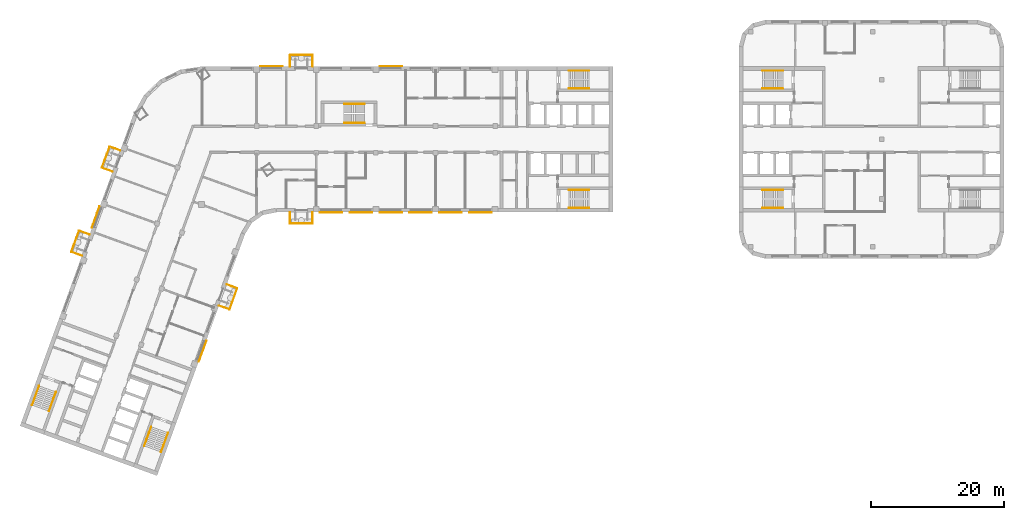
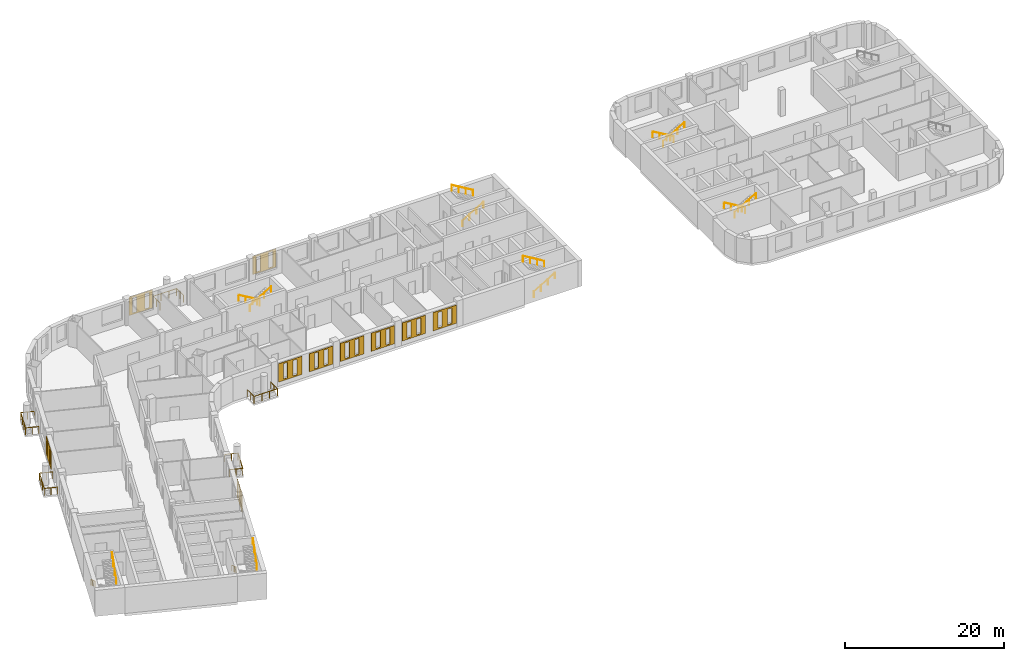
# One storey, part 13 of 16: 19 railings, 10 coverings.
"""IFC4 building model written with IfcOpenShell, lengths in metres."""

from ifc_helpers import new_model, si_unit, direction, frame, origin, origin_2d, place, context, subcontext, project, spatial, polyline, circle, outline, extrude, material, material_profile, profile_set, type_object, element, save


model = new_model("IFC4")

# Units and contexts
model_context = context("Model", 3, precision=1e-05, world=origin(), true_north=direction((0.0, 1.0)))
body_context = subcontext(model_context, "Body", "Model", "MODEL_VIEW")
ifc_project = project(units=[si_unit("LENGTHUNIT", "METRE"), si_unit("AREAUNIT", "SQUARE_METRE"), si_unit("VOLUMEUNIT", "CUBIC_METRE"), si_unit("PLANEANGLEUNIT", "RADIAN"), si_unit("MASSUNIT", "GRAM", prefix="KILO")], contexts=[model_context])

# Site, building, storey
site_placement = place(None, origin())
site = spatial("IfcSite", under=ifc_project, at=site_placement, CompositionType="ELEMENT")
building_placement = place(site_placement, origin())
building = spatial("IfcBuilding", under=site, at=building_placement, Name="Skarvind Civic Tower", CompositionType="ELEMENT")
storey_placement = place(building_placement, frame((0.0, 0.0, 67.5)))
storey = spatial("IfcBuildingStorey", under=building, at=storey_placement, Name="L15", CompositionType="ELEMENT", Elevation=67.5)

# Railings
ifc_material_1 = material(Name="Stainless steel balustrade", Category="steel")
railing_type_1 = type_object("IfcRailingType", Name="GR1 GUARD 1100", PredefinedType="GUARDRAIL", material=ifc_material_1)
railing_1_placement = place(storey_placement, frame((49.735595703125, 106.101806640625, 0.0)))
element("IfcRailing", 1, at=railing_1_placement, inside=storey, type_object=railing_type_1, Name="TREE BALCONY GUARD", PredefinedType="GUARDRAIL", context=body_context, shape_type="SweptSolid", body=[
    extrude(circle(Radius=0.02392578125, at=origin_2d()), frame((0.0, 0.0, 1.076171875), z_axis=(0.93966756638, -0.342088971896, 0.0), x_axis=(0.342088971896, 0.93966756638, 0.0)), (0.0, 0.0, 1.0), 1.699951171875),
    extrude(circle(Radius=0.02392578125, at=origin_2d()), frame((1.597412109375, -0.58154296875, 1.076171875), z_axis=(-0.342002487902, -0.939699046647, 0.0), x_axis=(0.939699046647, -0.342002487902, 0.0)), (0.0, 0.0, 1.0), 3.400146484375),
    extrude(circle(Radius=0.02392578125, at=origin_2d()), frame((0.4345703125, -3.776611328125, 1.076171875), z_axis=(-0.93966756638, 0.342088971896, 0.0), x_axis=(-0.342088971896, -0.93966756638, 0.0)), (0.0, 0.0, 1.0), 1.699951171875),
    extrude(circle(Radius=0.02099609375, at=origin_2d()), origin(), (0.0, 0.0, 1.0), 1.052001953125),
    extrude(circle(Radius=0.02099609375, at=origin_2d()), frame((0.798828125, -0.290771484375, 0.0)), (0.0, 0.0, 1.0), 1.052001953125),
    extrude(circle(Radius=0.02099609375, at=origin_2d()), frame((1.597412109375, -0.58154296875, 0.0)), (0.0, 0.0, 1.0), 1.052001953125),
    extrude(circle(Radius=0.02099609375, at=origin_2d()), frame((1.209716796875, -1.646484375, 0.0)), (0.0, 0.0, 1.0), 1.052001953125),
    extrude(circle(Radius=0.02099609375, at=origin_2d()), frame((0.822265625, -2.711669921875, 0.0)), (0.0, 0.0, 1.0), 1.052001953125),
    extrude(circle(Radius=0.02099609375, at=origin_2d()), frame((0.4345703125, -3.776611328125, 0.0)), (0.0, 0.0, 1.0), 1.052001953125),
    extrude(circle(Radius=0.02099609375, at=origin_2d()), frame((-0.3642578125, -3.48583984375, 0.0)), (0.0, 0.0, 1.0), 1.052001953125),
    extrude(circle(Radius=0.02099609375, at=origin_2d()), frame((-1.162841796875, -3.195068359375, 0.0)), (0.0, 0.0, 1.0), 1.052001953125),
])
railing_2_placement = place(storey_placement, frame((62.699951171875, 117.0, 0.0)))
element("IfcRailing", 2, at=railing_2_placement, inside=storey, type_object=railing_type_1, Name="TREE BALCONY GUARD", PredefinedType="GUARDRAIL", context=body_context, shape_type="SweptSolid", body=[
    extrude(circle(Radius=0.02392578125, at=origin_2d()), frame((0.0, 0.0, 1.076171875), z_axis=(0.0, -1.0, 0.0), x_axis=(1.0, 0.0, 0.0)), (0.0, 0.0, 1.0), 1.699951171875),
    extrude(circle(Radius=0.02392578125, at=origin_2d()), frame((0.0, -1.699951171875, 1.076171875), z_axis=(-1.0, 0.0, 0.0), x_axis=(0.0, -1.0, 0.0)), (0.0, 0.0, 1.0), 3.39990234375),
    extrude(circle(Radius=0.02392578125, at=origin_2d()), frame((-3.39990234375, -1.699951171875, 1.076171875), z_axis=(0.0, 1.0, 0.0), x_axis=(-1.0, 0.0, 0.0)), (0.0, 0.0, 1.0), 1.699951171875),
    extrude(circle(Radius=0.02099609375, at=origin_2d()), origin(), (0.0, 0.0, 1.0), 1.052001953125),
    extrude(circle(Radius=0.02099609375, at=origin_2d()), frame((0.0, -0.85009765625, 0.0)), (0.0, 0.0, 1.0), 1.052001953125),
    extrude(circle(Radius=0.02099609375, at=origin_2d()), frame((0.0, -1.699951171875, 0.0)), (0.0, 0.0, 1.0), 1.052001953125),
    extrude(circle(Radius=0.02099609375, at=origin_2d()), frame((-1.13330078125, -1.699951171875, 0.0)), (0.0, 0.0, 1.0), 1.052001953125),
    extrude(circle(Radius=0.02099609375, at=origin_2d()), frame((-2.2666015625, -1.699951171875, 0.0)), (0.0, 0.0, 1.0), 1.052001953125),
    extrude(circle(Radius=0.02099609375, at=origin_2d()), frame((-3.39990234375, -1.699951171875, 0.0)), (0.0, 0.0, 1.0), 1.052001953125),
    extrude(circle(Radius=0.02099609375, at=origin_2d()), frame((-3.39990234375, -0.85009765625, 0.0)), (0.0, 0.0, 1.0), 1.052001953125),
    extrude(circle(Radius=0.02099609375, at=origin_2d()), frame((-3.39990234375, 0.0, 0.0)), (0.0, 0.0, 1.0), 1.052001953125),
])
railing_3_placement = place(storey_placement, frame((59.300048828125, 139.0, 0.0)))
element("IfcRailing", 3, at=railing_3_placement, inside=storey, type_object=railing_type_1, Name="TREE BALCONY GUARD", PredefinedType="GUARDRAIL", context=body_context, shape_type="SweptSolid", body=[
    extrude(circle(Radius=0.02392578125, at=origin_2d()), frame((0.0, 0.0, 1.076171875), z_axis=(0.0, 1.0, 0.0), x_axis=(-1.0, 0.0, 0.0)), (0.0, 0.0, 1.0), 1.699951171875),
    extrude(circle(Radius=0.02392578125, at=origin_2d()), frame((0.0, 1.699951171875, 1.076171875), z_axis=(1.0, 0.0, 0.0), x_axis=(0.0, 1.0, 0.0)), (0.0, 0.0, 1.0), 3.39990234375),
    extrude(circle(Radius=0.02392578125, at=origin_2d()), frame((3.39990234375, 1.699951171875, 1.076171875), z_axis=(0.0, -1.0, 0.0), x_axis=(1.0, 0.0, 0.0)), (0.0, 0.0, 1.0), 1.699951171875),
    extrude(circle(Radius=0.02099609375, at=origin_2d()), origin(), (0.0, 0.0, 1.0), 1.052001953125),
    extrude(circle(Radius=0.02099609375, at=origin_2d()), frame((0.0, 0.85009765625, 0.0)), (0.0, 0.0, 1.0), 1.052001953125),
    extrude(circle(Radius=0.02099609375, at=origin_2d()), frame((0.0, 1.699951171875, 0.0)), (0.0, 0.0, 1.0), 1.052001953125),
    extrude(circle(Radius=0.02099609375, at=origin_2d()), frame((1.13330078125, 1.699951171875, 0.0)), (0.0, 0.0, 1.0), 1.052001953125),
    extrude(circle(Radius=0.02099609375, at=origin_2d()), frame((2.2666015625, 1.699951171875, 0.0)), (0.0, 0.0, 1.0), 1.052001953125),
    extrude(circle(Radius=0.02099609375, at=origin_2d()), frame((3.39990234375, 1.699951171875, 0.0)), (0.0, 0.0, 1.0), 1.052001953125),
    extrude(circle(Radius=0.02099609375, at=origin_2d()), frame((3.39990234375, 0.85009765625, 0.0)), (0.0, 0.0, 1.0), 1.052001953125),
    extrude(circle(Radius=0.02099609375, at=origin_2d()), frame((3.39990234375, 0.0, 0.0)), (0.0, 0.0, 1.0), 1.052001953125),
])
railing_4_placement = place(storey_placement, frame((27.8994140625, 110.43115234375, 0.0)))
element("IfcRailing", 4, at=railing_4_placement, inside=storey, type_object=railing_type_1, Name="TREE BALCONY GUARD", PredefinedType="GUARDRAIL", context=body_context, shape_type="SweptSolid", body=[
    extrude(circle(Radius=0.02392578125, at=origin_2d()), frame((0.0, 0.0, 1.076171875), z_axis=(-0.93966756638, 0.342088971896, 0.0), x_axis=(-0.342088971896, -0.93966756638, 0.0)), (0.0, 0.0, 1.0), 1.699951171875),
    extrude(circle(Radius=0.02392578125, at=origin_2d()), frame((-1.597412109375, 0.58154296875, 1.076171875), z_axis=(0.342025565686, 0.93969064719, 0.0), x_axis=(-0.93969064719, 0.342025565686, 0.0)), (0.0, 0.0, 1.0), 3.39990234375),
    extrude(circle(Radius=0.02392578125, at=origin_2d()), frame((-0.4345703125, 3.7763671875, 1.076171875), z_axis=(0.939730516252, -0.341916008435, 0.0), x_axis=(0.341916008435, 0.939730516252, 0.0)), (0.0, 0.0, 1.0), 1.7001953125),
    extrude(circle(Radius=0.02099609375, at=origin_2d()), origin(), (0.0, 0.0, 1.0), 1.052001953125),
    extrude(circle(Radius=0.02099609375, at=origin_2d()), frame((-0.798828125, 0.290771484375, 0.0)), (0.0, 0.0, 1.0), 1.052001953125),
    extrude(circle(Radius=0.02099609375, at=origin_2d()), frame((-1.597412109375, 0.58154296875, 0.0)), (0.0, 0.0, 1.0), 1.052001953125),
    extrude(circle(Radius=0.02099609375, at=origin_2d()), frame((-1.209716796875, 1.646484375, 0.0)), (0.0, 0.0, 1.0), 1.052001953125),
    extrude(circle(Radius=0.02099609375, at=origin_2d()), frame((-0.822265625, 2.71142578125, 0.0)), (0.0, 0.0, 1.0), 1.052001953125),
    extrude(circle(Radius=0.02099609375, at=origin_2d()), frame((-0.4345703125, 3.7763671875, 0.0)), (0.0, 0.0, 1.0), 1.052001953125),
    extrude(circle(Radius=0.02099609375, at=origin_2d()), frame((0.3642578125, 3.48583984375, 0.0)), (0.0, 0.0, 1.0), 1.052001953125),
    extrude(circle(Radius=0.02099609375, at=origin_2d()), frame((1.1630859375, 3.195068359375, 0.0)), (0.0, 0.0, 1.0), 1.052001953125),
])
railing_5_placement = place(storey_placement, frame((32.516845703125, 123.1171875, 0.0)))
element("IfcRailing", 5, at=railing_5_placement, inside=storey, type_object=railing_type_1, Name="TREE BALCONY GUARD", PredefinedType="GUARDRAIL", context=body_context, shape_type="SweptSolid", body=[
    extrude(circle(Radius=0.02392578125, at=origin_2d()), frame((0.0, 0.0, 1.076171875), z_axis=(-0.939730516252, 0.341916008435, 0.0), x_axis=(-0.341916008435, -0.939730516252, 0.0)), (0.0, 0.0, 1.0), 1.7001953125),
    extrude(circle(Radius=0.02392578125, at=origin_2d()), frame((-1.59765625, 0.581298828125, 1.076171875), z_axis=(0.342065890968, 0.939675968745, 0.0), x_axis=(-0.939675968745, 0.342065890968, 0.0)), (0.0, 0.0, 1.0), 3.400146484375),
    extrude(circle(Radius=0.02392578125, at=origin_2d()), frame((-0.4345703125, 3.7763671875, 1.076171875), z_axis=(0.93966756638, -0.342088971896, 0.0), x_axis=(0.342088971896, 0.93966756638, 0.0)), (0.0, 0.0, 1.0), 1.699951171875),
    extrude(circle(Radius=0.02099609375, at=origin_2d()), origin(), (0.0, 0.0, 1.0), 1.052001953125),
    extrude(circle(Radius=0.02099609375, at=origin_2d()), frame((-0.798828125, 0.29052734375, 0.0)), (0.0, 0.0, 1.0), 1.052001953125),
    extrude(circle(Radius=0.02099609375, at=origin_2d()), frame((-1.59765625, 0.581298828125, 0.0)), (0.0, 0.0, 1.0), 1.052001953125),
    extrude(circle(Radius=0.02099609375, at=origin_2d()), frame((-1.2099609375, 1.646240234375, 0.0)), (0.0, 0.0, 1.0), 1.052001953125),
    extrude(circle(Radius=0.02099609375, at=origin_2d()), frame((-0.822265625, 2.71142578125, 0.0)), (0.0, 0.0, 1.0), 1.052001953125),
    extrude(circle(Radius=0.02099609375, at=origin_2d()), frame((-0.4345703125, 3.7763671875, 0.0)), (0.0, 0.0, 1.0), 1.052001953125),
    extrude(circle(Radius=0.02099609375, at=origin_2d()), frame((0.3642578125, 3.485595703125, 0.0)), (0.0, 0.0, 1.0), 1.052001953125),
    extrude(circle(Radius=0.02099609375, at=origin_2d()), frame((1.162841796875, 3.19482421875, 0.0)), (0.0, 0.0, 1.0), 1.052001953125),
])
ifc_material_2 = material(Name="Painted steel handrail", Category="steel")
railing_type_2 = type_object("IfcRailingType", Name="Stair handrail 900", PredefinedType="HANDRAIL", material=ifc_material_2)
railing_6_placement = place(storey_placement, frame((101.35009765625, 135.64990234375, 0.166748046875)))
element("IfcRailing", 6, at=railing_6_placement, inside=storey, type_object=railing_type_2, Name="Stair handrail", PredefinedType="HANDRAIL", context=body_context, shape_type="SweptSolid", body=[
    extrude(circle(Radius=0.02392578125, at=origin_2d()), frame((0.0, 0.0, 0.8759765625), z_axis=(0.859290745958, 0.0, 0.51148745235), x_axis=(0.0, 1.0, 0.0)), (0.0, 0.0, 1.0), 3.584228515625),
    extrude(circle(Radius=0.02099609375, at=origin_2d()), origin(), (0.0, 0.0, 1.0), 0.851806640625),
    extrude(circle(Radius=0.02099609375, at=origin_2d()), frame((1.026611328125, 0.0, 0.611083984375)), (0.0, 0.0, 1.0), 0.851806640625),
    extrude(circle(Radius=0.02099609375, at=origin_2d()), frame((2.05322265625, 0.0, 1.22216796875)), (0.0, 0.0, 1.0), 0.851806640625),
    extrude(circle(Radius=0.02099609375, at=origin_2d()), frame((3.079833984375, 0.0, 1.833251953125)), (0.0, 0.0, 1.0), 0.851806640625),
])
railing_7_placement = place(storey_placement, frame((104.429931640625, 138.35009765625, 2.166748046875)))
element("IfcRailing", 7, at=railing_7_placement, inside=storey, type_object=railing_type_2, Name="Stair handrail", PredefinedType="HANDRAIL", context=body_context, shape_type="SweptSolid", body=[
    extrude(circle(Radius=0.02392578125, at=origin_2d()), frame((0.0, 0.0, 0.8759765625), z_axis=(-0.859290745958, 0.0, 0.51148745235), x_axis=(0.0, -1.0, 0.0)), (0.0, 0.0, 1.0), 3.584228515625),
    extrude(circle(Radius=0.02099609375, at=origin_2d()), origin(), (0.0, 0.0, 1.0), 0.851806640625),
    extrude(circle(Radius=0.02099609375, at=origin_2d()), frame((-1.026611328125, 0.0, 0.611083984375)), (0.0, 0.0, 1.0), 0.851806640625),
    extrude(circle(Radius=0.02099609375, at=origin_2d()), frame((-2.05322265625, 0.0, 1.22216796875)), (0.0, 0.0, 1.0), 0.851806640625),
    extrude(circle(Radius=0.02099609375, at=origin_2d()), frame((-3.079833984375, 0.0, 1.833251953125)), (0.0, 0.0, 1.0), 0.851806640625),
])
railing_8_placement = place(storey_placement, frame((101.35009765625, 117.64990234375, 0.166748046875)))
element("IfcRailing", 8, at=railing_8_placement, inside=storey, type_object=railing_type_2, Name="Stair handrail", PredefinedType="HANDRAIL", context=body_context, shape_type="SweptSolid", body=[
    extrude(circle(Radius=0.02392578125, at=origin_2d()), frame((0.0, 0.0, 0.8759765625), z_axis=(0.859290745958, 0.0, 0.51148745235), x_axis=(0.0, 1.0, 0.0)), (0.0, 0.0, 1.0), 3.584228515625),
    extrude(circle(Radius=0.02099609375, at=origin_2d()), origin(), (0.0, 0.0, 1.0), 0.851806640625),
    extrude(circle(Radius=0.02099609375, at=origin_2d()), frame((1.026611328125, 0.0, 0.611083984375)), (0.0, 0.0, 1.0), 0.851806640625),
    extrude(circle(Radius=0.02099609375, at=origin_2d()), frame((2.05322265625, 0.0, 1.22216796875)), (0.0, 0.0, 1.0), 0.851806640625),
    extrude(circle(Radius=0.02099609375, at=origin_2d()), frame((3.079833984375, 0.0, 1.833251953125)), (0.0, 0.0, 1.0), 0.851806640625),
])
railing_9_placement = place(storey_placement, frame((104.429931640625, 120.35009765625, 2.166748046875)))
element("IfcRailing", 9, at=railing_9_placement, inside=storey, type_object=railing_type_2, Name="Stair handrail", PredefinedType="HANDRAIL", context=body_context, shape_type="SweptSolid", body=[
    extrude(circle(Radius=0.02392578125, at=origin_2d()), frame((0.0, 0.0, 0.8759765625), z_axis=(-0.859290745958, 0.0, 0.51148745235), x_axis=(0.0, -1.0, 0.0)), (0.0, 0.0, 1.0), 3.584228515625),
    extrude(circle(Radius=0.02099609375, at=origin_2d()), origin(), (0.0, 0.0, 1.0), 0.851806640625),
    extrude(circle(Radius=0.02099609375, at=origin_2d()), frame((-1.026611328125, 0.0, 0.611083984375)), (0.0, 0.0, 1.0), 0.851806640625),
    extrude(circle(Radius=0.02099609375, at=origin_2d()), frame((-2.05322265625, 0.0, 1.22216796875)), (0.0, 0.0, 1.0), 0.851806640625),
    extrude(circle(Radius=0.02099609375, at=origin_2d()), frame((-3.079833984375, 0.0, 1.833251953125)), (0.0, 0.0, 1.0), 0.851806640625),
])
railing_10_placement = place(storey_placement, frame((38.362060546875, 84.64794921875, 0.166748046875)))
element("IfcRailing", 10, at=railing_10_placement, inside=storey, type_object=railing_type_2, Name="Stair handrail", PredefinedType="HANDRAIL", context=body_context, shape_type="SweptSolid", body=[
    extrude(circle(Radius=0.02392578125, at=origin_2d()), frame((0.0, 0.0, 0.8759765625), z_axis=(-0.293908055923, -0.807480881337, 0.511461319103), x_axis=(0.939689235759, -0.342029443467, 0.0)), (0.0, 0.0, 1.0), 3.584228515625),
    extrude(circle(Radius=0.02099609375, at=origin_2d()), origin(), (0.0, 0.0, 1.0), 0.851806640625),
    extrude(circle(Radius=0.02099609375, at=origin_2d()), frame((-0.35107421875, -0.96484375, 0.611083984375)), (0.0, 0.0, 1.0), 0.851806640625),
    extrude(circle(Radius=0.02099609375, at=origin_2d()), frame((-0.702392578125, -1.929443359375, 1.22216796875)), (0.0, 0.0, 1.0), 0.851806640625),
    extrude(circle(Radius=0.02099609375, at=origin_2d()), frame((-1.053466796875, -2.894287109375, 1.833251953125)), (0.0, 0.0, 1.0), 0.851806640625),
])
railing_11_placement = place(storey_placement, frame((39.845703125, 80.830078125, 2.166748046875)))
element("IfcRailing", 11, at=railing_11_placement, inside=storey, type_object=railing_type_2, Name="Stair handrail", PredefinedType="HANDRAIL", context=body_context, shape_type="SweptSolid", body=[
    extrude(circle(Radius=0.02392578125, at=origin_2d()), frame((0.0, 0.0, 0.8759765625), z_axis=(0.293908055923, 0.807480881337, 0.511461319103), x_axis=(-0.939689235759, 0.342029443467, 0.0)), (0.0, 0.0, 1.0), 3.584228515625),
    extrude(circle(Radius=0.02099609375, at=origin_2d()), origin(), (0.0, 0.0, 1.0), 0.851806640625),
    extrude(circle(Radius=0.02099609375, at=origin_2d()), frame((0.35107421875, 0.96484375, 0.611083984375)), (0.0, 0.0, 1.0), 0.851806640625),
    extrude(circle(Radius=0.02099609375, at=origin_2d()), frame((0.702392578125, 1.929443359375, 1.22216796875)), (0.0, 0.0, 1.0), 0.851806640625),
    extrude(circle(Radius=0.02099609375, at=origin_2d()), frame((1.053466796875, 2.894287109375, 1.833251953125)), (0.0, 0.0, 1.0), 0.851806640625),
])
railing_12_placement = place(storey_placement, frame((21.447509765625, 90.80419921875, 0.166748046875)))
element("IfcRailing", 12, at=railing_12_placement, inside=storey, type_object=railing_type_2, Name="Stair handrail", PredefinedType="HANDRAIL", context=body_context, shape_type="SweptSolid", body=[
    extrude(circle(Radius=0.02392578125, at=origin_2d()), frame((0.0, 0.0, 0.8759765625), z_axis=(-0.293845824691, -0.807497044902, 0.511471557163), x_axis=(0.939714709796, -0.34195944817, 0.0)), (0.0, 0.0, 1.0), 3.584228515625),
    extrude(circle(Radius=0.02099609375, at=origin_2d()), origin(), (0.0, 0.0, 1.0), 0.851806640625),
    extrude(circle(Radius=0.02099609375, at=origin_2d()), frame((-0.35107421875, -0.96484375, 0.611083984375)), (0.0, 0.0, 1.0), 0.851806640625),
    extrude(circle(Radius=0.02099609375, at=origin_2d()), frame((-0.7021484375, -1.929443359375, 1.22216796875)), (0.0, 0.0, 1.0), 0.851806640625),
    extrude(circle(Radius=0.02099609375, at=origin_2d()), frame((-1.05322265625, -2.894287109375, 1.833251953125)), (0.0, 0.0, 1.0), 0.851806640625),
])
railing_13_placement = place(storey_placement, frame((22.931396484375, 86.986572265625, 2.166748046875)))
element("IfcRailing", 13, at=railing_13_placement, inside=storey, type_object=railing_type_2, Name="Stair handrail", PredefinedType="HANDRAIL", context=body_context, shape_type="SweptSolid", body=[
    extrude(circle(Radius=0.02392578125, at=origin_2d()), frame((0.0, 0.0, 0.8759765625), z_axis=(0.293908055923, 0.807480881337, 0.511461319103), x_axis=(-0.939689235759, 0.342029443467, 0.0)), (0.0, 0.0, 1.0), 3.584228515625),
    extrude(circle(Radius=0.02099609375, at=origin_2d()), origin(), (0.0, 0.0, 1.0), 0.851806640625),
    extrude(circle(Radius=0.02099609375, at=origin_2d()), frame((0.35107421875, 0.96484375, 0.611083984375)), (0.0, 0.0, 1.0), 0.851806640625),
    extrude(circle(Radius=0.02099609375, at=origin_2d()), frame((0.702392578125, 1.929443359375, 1.22216796875)), (0.0, 0.0, 1.0), 0.851806640625),
    extrude(circle(Radius=0.02099609375, at=origin_2d()), frame((1.053466796875, 2.894287109375, 1.833251953125)), (0.0, 0.0, 1.0), 0.851806640625),
])
railing_14_placement = place(storey_placement, frame((133.64990234375, 120.35009765625, 0.166748046875)))
element("IfcRailing", 14, at=railing_14_placement, inside=storey, type_object=railing_type_2, Name="Stair handrail", PredefinedType="HANDRAIL", context=body_context, shape_type="SweptSolid", body=[
    extrude(circle(Radius=0.02392578125, at=origin_2d()), frame((0.0, 0.0, 0.8759765625), z_axis=(-0.859290745958, 0.0, 0.51148745235), x_axis=(0.0, -1.0, 0.0)), (0.0, 0.0, 1.0), 3.584228515625),
    extrude(circle(Radius=0.02099609375, at=origin_2d()), origin(), (0.0, 0.0, 1.0), 0.851806640625),
    extrude(circle(Radius=0.02099609375, at=origin_2d()), frame((-1.026611328125, 0.0, 0.611083984375)), (0.0, 0.0, 1.0), 0.851806640625),
    extrude(circle(Radius=0.02099609375, at=origin_2d()), frame((-2.05322265625, 0.0, 1.22216796875)), (0.0, 0.0, 1.0), 0.851806640625),
    extrude(circle(Radius=0.02099609375, at=origin_2d()), frame((-3.079833984375, 0.0, 1.833251953125)), (0.0, 0.0, 1.0), 0.851806640625),
])
railing_15_placement = place(storey_placement, frame((130.570068359375, 117.64990234375, 2.166748046875)))
element("IfcRailing", 15, at=railing_15_placement, inside=storey, type_object=railing_type_2, Name="Stair handrail", PredefinedType="HANDRAIL", context=body_context, shape_type="SweptSolid", body=[
    extrude(circle(Radius=0.02392578125, at=origin_2d()), frame((0.0, 0.0, 0.8759765625), z_axis=(0.859290745958, 0.0, 0.51148745235), x_axis=(0.0, 1.0, 0.0)), (0.0, 0.0, 1.0), 3.584228515625),
    extrude(circle(Radius=0.02099609375, at=origin_2d()), origin(), (0.0, 0.0, 1.0), 0.851806640625),
    extrude(circle(Radius=0.02099609375, at=origin_2d()), frame((1.026611328125, 0.0, 0.611083984375)), (0.0, 0.0, 1.0), 0.851806640625),
    extrude(circle(Radius=0.02099609375, at=origin_2d()), frame((2.05322265625, 0.0, 1.22216796875)), (0.0, 0.0, 1.0), 0.851806640625),
    extrude(circle(Radius=0.02099609375, at=origin_2d()), frame((3.079833984375, 0.0, 1.833251953125)), (0.0, 0.0, 1.0), 0.851806640625),
])
railing_16_placement = place(storey_placement, frame((133.64990234375, 138.35009765625, 0.166748046875)))
element("IfcRailing", 16, at=railing_16_placement, inside=storey, type_object=railing_type_2, Name="Stair handrail", PredefinedType="HANDRAIL", context=body_context, shape_type="SweptSolid", body=[
    extrude(circle(Radius=0.02392578125, at=origin_2d()), frame((0.0, 0.0, 0.8759765625), z_axis=(-0.859290745958, 0.0, 0.51148745235), x_axis=(0.0, -1.0, 0.0)), (0.0, 0.0, 1.0), 3.584228515625),
    extrude(circle(Radius=0.02099609375, at=origin_2d()), origin(), (0.0, 0.0, 1.0), 0.851806640625),
    extrude(circle(Radius=0.02099609375, at=origin_2d()), frame((-1.026611328125, 0.0, 0.611083984375)), (0.0, 0.0, 1.0), 0.851806640625),
    extrude(circle(Radius=0.02099609375, at=origin_2d()), frame((-2.05322265625, 0.0, 1.22216796875)), (0.0, 0.0, 1.0), 0.851806640625),
    extrude(circle(Radius=0.02099609375, at=origin_2d()), frame((-3.079833984375, 0.0, 1.833251953125)), (0.0, 0.0, 1.0), 0.851806640625),
])
railing_17_placement = place(storey_placement, frame((130.570068359375, 135.64990234375, 2.166748046875)))
element("IfcRailing", 17, at=railing_17_placement, inside=storey, type_object=railing_type_2, Name="Stair handrail", PredefinedType="HANDRAIL", context=body_context, shape_type="SweptSolid", body=[
    extrude(circle(Radius=0.02392578125, at=origin_2d()), frame((0.0, 0.0, 0.8759765625), z_axis=(0.859290745958, 0.0, 0.51148745235), x_axis=(0.0, 1.0, 0.0)), (0.0, 0.0, 1.0), 3.584228515625),
    extrude(circle(Radius=0.02099609375, at=origin_2d()), origin(), (0.0, 0.0, 1.0), 0.851806640625),
    extrude(circle(Radius=0.02099609375, at=origin_2d()), frame((1.026611328125, 0.0, 0.611083984375)), (0.0, 0.0, 1.0), 0.851806640625),
    extrude(circle(Radius=0.02099609375, at=origin_2d()), frame((2.05322265625, 0.0, 1.22216796875)), (0.0, 0.0, 1.0), 0.851806640625),
    extrude(circle(Radius=0.02099609375, at=origin_2d()), frame((3.079833984375, 0.0, 1.833251953125)), (0.0, 0.0, 1.0), 0.851806640625),
])
railing_18_placement = place(storey_placement, frame((70.550048828125, 133.35009765625, 0.166748046875)))
element("IfcRailing", 18, at=railing_18_placement, inside=storey, type_object=railing_type_2, Name="Stair handrail", PredefinedType="HANDRAIL", context=body_context, shape_type="SweptSolid", body=[
    extrude(circle(Radius=0.02392578125, at=origin_2d()), frame((0.0, 0.0, 0.8759765625), z_axis=(-0.859308565015, 0.0, 0.511457515432), x_axis=(0.0, -1.0, 0.0)), (0.0, 0.0, 1.0), 3.58447265625),
    extrude(circle(Radius=0.02099609375, at=origin_2d()), origin(), (0.0, 0.0, 1.0), 0.851806640625),
    extrude(circle(Radius=0.02099609375, at=origin_2d()), frame((-1.026611328125, 0.0, 0.611083984375)), (0.0, 0.0, 1.0), 0.851806640625),
    extrude(circle(Radius=0.02099609375, at=origin_2d()), frame((-2.053466796875, 0.0, 1.22216796875)), (0.0, 0.0, 1.0), 0.851806640625),
    extrude(circle(Radius=0.02099609375, at=origin_2d()), frame((-3.080078125, 0.0, 1.833251953125)), (0.0, 0.0, 1.0), 0.851806640625),
])
railing_19_placement = place(storey_placement, frame((67.469970703125, 130.449951171875, 2.166748046875)))
element("IfcRailing", 19, at=railing_19_placement, inside=storey, type_object=railing_type_2, Name="Stair handrail", PredefinedType="HANDRAIL", context=body_context, shape_type="SweptSolid", body=[
    extrude(circle(Radius=0.02392578125, at=origin_2d()), frame((0.0, 0.0, 0.8759765625), z_axis=(0.859308565015, 0.0, 0.511457515432), x_axis=(0.0, 1.0, 0.0)), (0.0, 0.0, 1.0), 3.58447265625),
    extrude(circle(Radius=0.02099609375, at=origin_2d()), origin(), (0.0, 0.0, 1.0), 0.851806640625),
    extrude(circle(Radius=0.02099609375, at=origin_2d()), frame((1.026611328125, 0.0, 0.611083984375)), (0.0, 0.0, 1.0), 0.851806640625),
    extrude(circle(Radius=0.02099609375, at=origin_2d()), frame((2.053466796875, 0.0, 1.22216796875)), (0.0, 0.0, 1.0), 0.851806640625),
    extrude(circle(Radius=0.02099609375, at=origin_2d()), frame((3.080078125, 0.0, 1.833251953125)), (0.0, 0.0, 1.0), 0.851806640625),
])

# Coverings
ifc_material_3 = material(Name="Terracotta", Category="masonry")
ifc_material_profile_1 = material_profile(ifc_material_3, outline(polyline([(-1.699951171875, -1.39990234375), (1.699951171875, -1.39990234375), (1.699951171875, 1.39990234375), (-1.699951171875, 1.39990234375), (-1.699951171875, -1.39990234375)]), holes=[polyline([(-1.0, -1.18994140625), (-0.39990234375, -1.18994140625), (-0.39990234375, 1.18994140625), (-1.0, 1.18994140625), (-1.0, -1.18994140625)]), polyline([(0.39990234375, -1.18994140625), (1.0, -1.18994140625), (1.0, 1.18994140625), (0.39990234375, 1.18994140625), (0.39990234375, -1.18994140625)])]), Name="TERRACOTTA SCREEN 3400 x 2800, SLIT PITCH 1400")
ifc_profile_set_1 = profile_set([ifc_material_profile_1], Name="Terracotta")
covering_type_1 = type_object("IfcCoveringType", Name="TERRACOTTA SCREEN 3400 x 2800, SLIT PITCH 1400", PredefinedType="CLADDING", material=ifc_profile_set_1)
for number, where, z_axis, x_axis, name in (
    (20, (88.0, 117.0, 2.10009765625), (0.0, -1.0, 0.0), (1.0, 0.0, 0.0), "TERRACOTTA SCREEN"),
    (21, (83.5, 117.0, 2.10009765625), (0.0, -1.0, 0.0), (1.0, 0.0, 0.0), "TERRACOTTA SCREEN"),
    (22, (79.0, 117.0, 2.10009765625), (0.0, -1.0, 0.0), (1.0, 0.0, 0.0), "TERRACOTTA SCREEN"),
    (23, (74.5, 117.0, 2.10009765625), (0.0, -1.0, 0.0), (1.0, 0.0, 0.0), "TERRACOTTA SCREEN"),
    (24, (70.0, 117.0, 2.10009765625), (0.0, -1.0, 0.0), (1.0, 0.0, 0.0), "TERRACOTTA SCREEN"),
    (25, (65.5, 117.0, 2.10009765625), (0.0, -1.0, 0.0), (1.0, 0.0, 0.0), "TERRACOTTA SCREEN"),
):
    element("IfcCovering", number, at=place(storey_placement, frame(where, z_axis=z_axis, x_axis=x_axis)), inside=storey, type_object=covering_type_1, Name=name, PredefinedType="CLADDING", context=body_context, shape_type="SweptSolid", body=[
        extrude(outline(polyline([(-1.699951171875, -1.39990234375), (1.699951171875, -1.39990234375), (1.699951171875, 1.39990234375), (-1.699951171875, 1.39990234375), (-1.699951171875, -1.39990234375)]), holes=[polyline([(-1.0, -1.18994140625), (-0.39990234375, -1.18994140625), (-0.39990234375, 1.18994140625), (-1.0, 1.18994140625), (-1.0, -1.18994140625)]), polyline([(0.39990234375, -1.18994140625), (1.0, -1.18994140625), (1.0, 1.18994140625), (0.39990234375, 1.18994140625), (0.39990234375, -1.18994140625)])]), origin(), (0.0, 0.0, 1.0), 0.06005859375),
    ])
ifc_material_profile_2 = material_profile(ifc_material_3, outline(polyline([(-1.699951171875, -1.39990234375), (1.699951171875, -1.39990234375), (1.699951171875, 1.39990234375), (-1.699951171875, 1.39990234375), (-1.699951171875, -1.39990234375)]), holes=[polyline([(-1.199951171875, -1.18994140625), (-0.60009765625, -1.18994140625), (-0.60009765625, 1.18994140625), (-1.199951171875, 1.18994140625), (-1.199951171875, -1.18994140625)]), polyline([(0.60009765625, -1.18994140625), (1.199951171875, -1.18994140625), (1.199951171875, 1.18994140625), (0.60009765625, 1.18994140625), (0.60009765625, -1.18994140625)])]), Name="TERRACOTTA SCREEN 3400 x 2800, SLIT PITCH 1800")
ifc_profile_set_2 = profile_set([ifc_material_profile_2], Name="Terracotta")
covering_type_2 = type_object("IfcCoveringType", Name="TERRACOTTA SCREEN 3400 x 2800, SLIT PITCH 1800", PredefinedType="CLADDING", material=ifc_profile_set_2)
for number, where, z_axis, x_axis, name in (
    (26, (46.075927734375, 96.047119140625, 2.10009765625), (0.939793423488, -0.341743063087, 0.0), (0.341743063087, 0.939793423488, 0.0), "TERRACOTTA SCREEN"),
    (27, (56.5, 139.0, 2.10009765625), (0.0, 1.0, 0.0), (-1.0, 0.0, 0.0), "TERRACOTTA SCREEN"),
    (28, (74.5, 139.0, 2.10009765625), (0.0, 1.0, 0.0), (-1.0, 0.0, 0.0), "TERRACOTTA SCREEN"),
    (29, (30.02001953125, 116.25732421875, 2.10009765625), (-0.939793423488, 0.341743063087, 0.0), (-0.341743063087, -0.939793423488, 0.0), "TERRACOTTA SCREEN"),
):
    element("IfcCovering", number, at=place(storey_placement, frame(where, z_axis=z_axis, x_axis=x_axis)), inside=storey, type_object=covering_type_2, Name=name, PredefinedType="CLADDING", context=body_context, shape_type="SweptSolid", body=[
        extrude(outline(polyline([(-1.699951171875, -1.39990234375), (1.699951171875, -1.39990234375), (1.699951171875, 1.39990234375), (-1.699951171875, 1.39990234375), (-1.699951171875, -1.39990234375)]), holes=[polyline([(-1.199951171875, -1.18994140625), (-0.60009765625, -1.18994140625), (-0.60009765625, 1.18994140625), (-1.199951171875, 1.18994140625), (-1.199951171875, -1.18994140625)]), polyline([(0.60009765625, -1.18994140625), (1.199951171875, -1.18994140625), (1.199951171875, 1.18994140625), (0.60009765625, 1.18994140625), (0.60009765625, -1.18994140625)])]), origin(), (0.0, 0.0, 1.0), 0.06005859375),
    ])

save(model, "model.ifc")
